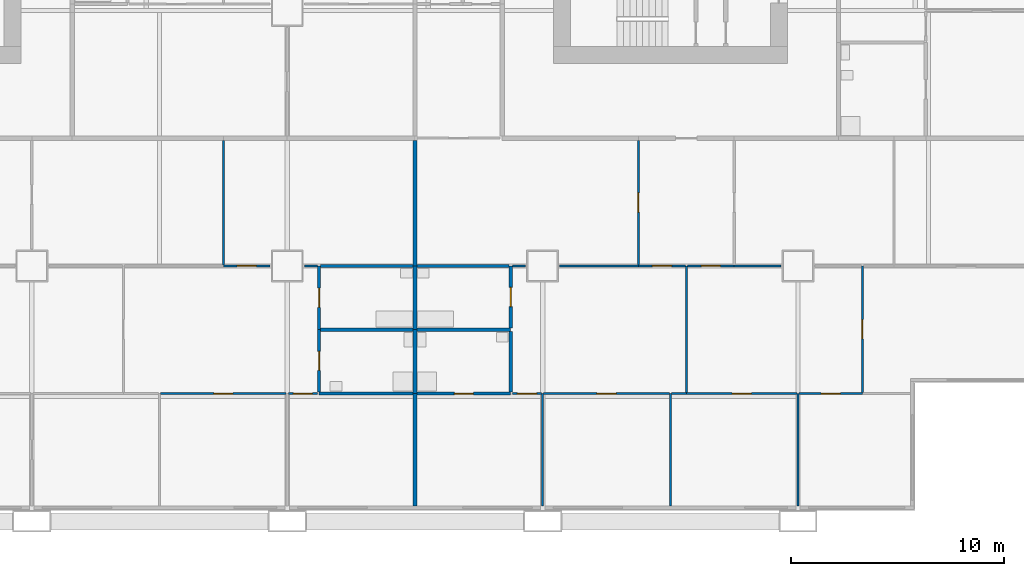
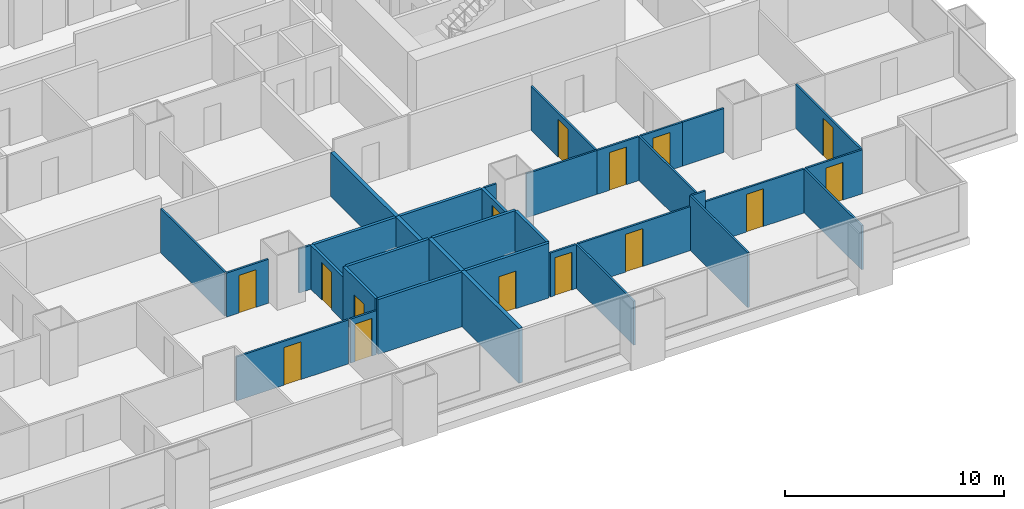
# One storey, part 5 of 13: 35 walls, 15 doors, 15 openings.
"""IFC4 building model written with IfcOpenShell, lengths in metres."""

from ifc_helpers import new_model, si_unit, direction, frame, frame_2d, origin, place, context, subcontext, project, spatial, rectangle, extrude, material, layer, layer_set, type_object, element, fill, save


model = new_model("IFC4")

# Units and contexts
model_context = context("Model", 3, precision=1e-05, world=origin(), true_north=direction((0.0, 1.0)))
body_context = subcontext(model_context, "Body", "Model", "MODEL_VIEW")
ifc_project = project(units=[si_unit("LENGTHUNIT", "METRE"), si_unit("AREAUNIT", "SQUARE_METRE"), si_unit("VOLUMEUNIT", "CUBIC_METRE"), si_unit("PLANEANGLEUNIT", "RADIAN"), si_unit("MASSUNIT", "GRAM", prefix="KILO")], contexts=[model_context])

# Site, building, storey
site_placement = place(None, origin())
site = spatial("IfcSite", under=ifc_project, at=site_placement, CompositionType="ELEMENT")
building_placement = place(site_placement, origin())
building = spatial("IfcBuilding", under=site, at=building_placement, Name="Kitamizu Gate Tower and Museum", CompositionType="ELEMENT")
storey_placement = place(building_placement, frame((0.0, 0.0, 57.60009765625)))
storey = spatial("IfcBuildingStorey", under=building, at=storey_placement, Name="L13", CompositionType="ELEMENT", Elevation=57.60009765625)

# Wall, opening, door
ifc_material_1 = material(Name="Gypsum board on galvanised stud")
ifc_layer_1 = layer(ifc_material_1, 0.10009765625)
ifc_layer_set_1 = layer_set([ifc_layer_1], Name="Gypsum board on galvanised stud")
wall_type_1 = type_object("IfcWallType", Name="Partition 100 NOT RATED", PredefinedType="PARTITIONING", material=ifc_layer_set_1)
wall_1_placement = place(storey_placement, frame((35.949951171875, 6.0, 0.0), z_axis=(0.0, 0.0, 1.0), x_axis=(-1.0, 0.0, 0.0)))
wall_1 = element("IfcWall", 1, at=wall_1_placement, inside=storey, type_object=wall_type_1, Name="Partition L13-011", PredefinedType="PARTITIONING", context=body_context, shape_type="SweptSolid", body=[
    extrude(rectangle(XDim=5.89990234375, YDim=0.10009765625, at=frame_2d((2.949951171875, 0.0))), origin(), (0.0, 0.0, 1.0), 2.449951171875),
])
opening_1_placement = place(wall_1_placement, frame((2.5, 0.0, 0.0)))
opening_1 = element("IfcOpeningElement", 2, at=opening_1_placement, cuts=wall_1, Name="Opening L13-010", PredefinedType="OPENING", context=body_context, shape_type="SweptSolid", body=[
    extrude(rectangle(XDim=0.89990234375, YDim=2.10009765625, at=frame_2d((0.449951171875, 1.050048828125))), frame((0.0, 0.06005859375, 0.0), z_axis=(0.0, -1.0, 0.0), x_axis=(1.0, 0.0, 0.0)), (0.0, 0.0, 1.0), 0.1201171875),
])
ifc_material_2 = material(Name="Timber door set", Category="wood")
door_type_1 = type_object("IfcDoorType", Name="Room door 900", OperationType="NOTDEFINED", PredefinedType="DOOR", material=ifc_material_2)
door_1_placement = place(opening_1_placement, origin())
door_1 = element("IfcDoor", 3, at=door_1_placement, inside=storey, type_object=door_type_1, Name="Door L13-010", OperationType="SINGLE_SWING_RIGHT", OverallHeight=2.10009765625, OverallWidth=0.89990234375, PredefinedType="DOOR", context=body_context, shape_type="SweptSolid", body=[
    extrude(rectangle(XDim=0.89990234375, YDim=2.10009765625, at=frame_2d((0.449951171875, 1.050048828125))), frame((0.0, 0.02490234375, 0.0), z_axis=(0.0, -1.0, 0.0), x_axis=(1.0, 0.0, 0.0)), (0.0, 0.0, 1.0), 0.050048828125),
])
fill(opening_1, door_1)

wall_2_placement = place(storey_placement, frame((37.425048828125, 6.0, 0.0), z_axis=(0.0, 0.0, 1.0), x_axis=(-1.0, 0.0, 0.0)))
wall_2 = element("IfcWall", 4, at=wall_2_placement, inside=storey, type_object=wall_type_1, Name="Partition L13-012", PredefinedType="PARTITIONING", context=body_context, shape_type="SweptSolid", body=[
    extrude(rectangle(XDim=1.375, YDim=0.10009765625, at=frame_2d((0.6875, 0.0))), origin(), (0.0, 0.0, 1.0), 2.449951171875),
])
opening_2_placement = place(wall_2_placement, frame((0.237548828125, 0.0, 0.0)))
opening_2 = element("IfcOpeningElement", 5, at=opening_2_placement, cuts=wall_2, Name="Opening L13-011", PredefinedType="OPENING", context=body_context, shape_type="SweptSolid", body=[
    extrude(rectangle(XDim=0.89990234375, YDim=2.10009765625, at=frame_2d((0.449951171875, 1.050048828125))), frame((0.0, 0.06005859375, 0.0), z_axis=(0.0, -1.0, 0.0), x_axis=(1.0, 0.0, 0.0)), (0.0, 0.0, 1.0), 0.1201171875),
])
door_2_placement = place(opening_2_placement, origin())
door_2 = element("IfcDoor", 6, at=door_2_placement, inside=storey, type_object=door_type_1, Name="Door L13-011", OperationType="SINGLE_SWING_LEFT", OverallHeight=2.10009765625, OverallWidth=0.89990234375, PredefinedType="DOOR", context=body_context, shape_type="SweptSolid", body=[
    extrude(rectangle(XDim=0.89990234375, YDim=2.10009765625, at=frame_2d((0.449951171875, 1.050048828125))), frame((0.0, 0.02490234375, 0.0), z_axis=(0.0, -1.0, 0.0), x_axis=(1.0, 0.0, 0.0)), (0.0, 0.0, 1.0), 0.050048828125),
])
fill(opening_2, door_2)

wall_3_placement = place(storey_placement, frame((35.199951171875, 12.0, 0.0), z_axis=(0.0, 0.0, 1.0), x_axis=(-1.0, 0.0, 0.0)))
wall_3 = element("IfcWall", 7, at=wall_3_placement, inside=storey, type_object=wall_type_1, Name="Partition L13-030", PredefinedType="PARTITIONING", context=body_context, shape_type="SweptSolid", body=[
    extrude(rectangle(XDim=2.199951171875, YDim=0.10009765625, at=frame_2d((1.10009765625, 0.0))), origin(), (0.0, 0.0, 1.0), 2.449951171875),
])
opening_3_placement = place(wall_3_placement, frame((0.64990234375, 0.0, 0.0)))
opening_3 = element("IfcOpeningElement", 8, at=opening_3_placement, cuts=wall_3, Name="Opening L13-019", PredefinedType="OPENING", context=body_context, shape_type="SweptSolid", body=[
    extrude(rectangle(XDim=0.89990234375, YDim=2.10009765625, at=frame_2d((0.449951171875, 1.050048828125))), frame((0.0, 0.06005859375, 0.0), z_axis=(0.0, -1.0, 0.0), x_axis=(1.0, 0.0, 0.0)), (0.0, 0.0, 1.0), 0.1201171875),
])
door_3_placement = place(opening_3_placement, frame((0.89990234375, 0.0, 0.0), x_axis=(-1.0, 0.0, 0.0)))
door_3 = element("IfcDoor", 9, at=door_3_placement, inside=storey, type_object=door_type_1, Name="Door L13-019", OperationType="SINGLE_SWING_RIGHT", OverallHeight=2.10009765625, OverallWidth=0.89990234375, PredefinedType="DOOR", context=body_context, shape_type="SweptSolid", body=[
    extrude(rectangle(XDim=0.89990234375, YDim=2.10009765625, at=frame_2d((0.449951171875, 1.050048828125))), frame((0.0, 0.02490234375, 0.0), z_axis=(0.0, -1.0, 0.0), x_axis=(1.0, 0.0, 0.0)), (0.0, 0.0, 1.0), 0.050048828125),
])
fill(opening_3, door_3)

# Walls
wall_4_placement = place(storey_placement, frame((37.425048828125, 12.0, 0.0), z_axis=(0.0, 0.0, 1.0), x_axis=(-1.0, 0.0, 0.0)))
element("IfcWall", 10, at=wall_4_placement, inside=storey, type_object=wall_type_1, Name="Partition L13-031", PredefinedType="PARTITIONING", context=body_context, shape_type="SweptSolid", body=[
    extrude(rectangle(XDim=0.625, YDim=0.10009765625, at=frame_2d((0.3125, 0.0))), origin(), (0.0, 0.0, 1.0), 2.449951171875),
])
wall_5_placement = place(storey_placement, frame((33.0, 12.050048828125, 0.0), z_axis=(0.0, 0.0, 1.0), x_axis=(0.0, 1.0, 0.0)))
element("IfcWall", 11, at=wall_5_placement, inside=storey, type_object=wall_type_1, Name="Partition L13-053", PredefinedType="PARTITIONING", context=body_context, shape_type="SweptSolid", body=[
    extrude(rectangle(XDim=5.849853515625, YDim=0.10009765625, at=frame_2d((2.9248046875, 0.0))), origin(), (0.0, 0.0, 1.0), 2.449951171875),
])
wall_6_placement = place(storey_placement, frame((48.0, 0.719970703125, 0.0), z_axis=(0.0, 0.0, 1.0), x_axis=(0.0, 1.0, 0.0)))
element("IfcWall", 12, at=wall_6_placement, inside=storey, type_object=wall_type_1, Name="Partition L13-076", PredefinedType="PARTITIONING", context=body_context, shape_type="SweptSolid", body=[
    extrude(rectangle(XDim=5.280029296875, YDim=0.10009765625, at=frame_2d((2.64013671875, 0.0))), origin(), (0.0, 0.0, 1.0), 2.449951171875),
])

# Wall, opening, door
wall_7_placement = place(storey_placement, frame((47.949951171875, 6.0, 0.0), z_axis=(0.0, 0.0, 1.0), x_axis=(-1.0, 0.0, 0.0)))
wall_7 = element("IfcWall", 13, at=wall_7_placement, inside=storey, type_object=wall_type_1, Name="Partition L13-078", PredefinedType="PARTITIONING", context=body_context, shape_type="SweptSolid", body=[
    extrude(rectangle(XDim=1.375, YDim=0.10009765625, at=frame_2d((0.6875, 0.0))), origin(), (0.0, 0.0, 1.0), 2.449951171875),
])
opening_4_placement = place(wall_7_placement, frame((0.237548828125, 0.0, 0.0)))
opening_4 = element("IfcOpeningElement", 14, at=opening_4_placement, cuts=wall_7, Name="Opening L13-029", PredefinedType="OPENING", context=body_context, shape_type="SweptSolid", body=[
    extrude(rectangle(XDim=0.89990234375, YDim=2.10009765625, at=frame_2d((0.449951171875, 1.050048828125))), frame((0.0, 0.06005859375, 0.0), z_axis=(0.0, -1.0, 0.0), x_axis=(1.0, 0.0, 0.0)), (0.0, 0.0, 1.0), 0.1201171875),
])
door_4_placement = place(opening_4_placement, origin())
door_4 = element("IfcDoor", 15, at=door_4_placement, inside=storey, type_object=door_type_1, Name="Door L13-029", OperationType="SINGLE_SWING_RIGHT", OverallHeight=2.10009765625, OverallWidth=0.89990234375, PredefinedType="DOOR", context=body_context, shape_type="SweptSolid", body=[
    extrude(rectangle(XDim=0.89990234375, YDim=2.10009765625, at=frame_2d((0.449951171875, 1.050048828125))), frame((0.0, 0.02490234375, 0.0), z_axis=(0.0, -1.0, 0.0), x_axis=(1.0, 0.0, 0.0)), (0.0, 0.0, 1.0), 0.050048828125),
])
fill(opening_4, door_4)

# Wall
wall_8_placement = place(storey_placement, frame((54.0, 0.719970703125, 0.0), z_axis=(0.0, 0.0, 1.0), x_axis=(0.0, 1.0, 0.0)))
element("IfcWall", 16, at=wall_8_placement, inside=storey, type_object=wall_type_1, Name="Partition L13-079", PredefinedType="PARTITIONING", context=body_context, shape_type="SweptSolid", body=[
    extrude(rectangle(XDim=5.280029296875, YDim=0.10009765625, at=frame_2d((2.64013671875, 0.0))), origin(), (0.0, 0.0, 1.0), 3.0498046875),
])

# Wall, opening, door
wall_9_placement = place(storey_placement, frame((53.949951171875, 6.0, 0.0), z_axis=(0.0, 0.0, 1.0), x_axis=(-1.0, 0.0, 0.0)))
wall_9 = element("IfcWall", 17, at=wall_9_placement, inside=storey, type_object=wall_type_1, Name="Partition L13-080", PredefinedType="PARTITIONING", context=body_context, shape_type="SweptSolid", body=[
    extrude(rectangle(XDim=5.89990234375, YDim=0.10009765625, at=frame_2d((2.949951171875, 0.0))), origin(), (0.0, 0.0, 1.0), 2.449951171875),
])
opening_5_placement = place(wall_9_placement, frame((2.5, 0.0, 0.0)))
opening_5 = element("IfcOpeningElement", 18, at=opening_5_placement, cuts=wall_9, Name="Opening L13-032", PredefinedType="OPENING", context=body_context, shape_type="SweptSolid", body=[
    extrude(rectangle(XDim=0.89990234375, YDim=2.10009765625, at=frame_2d((0.449951171875, 1.050048828125))), frame((0.0, 0.06005859375, 0.0), z_axis=(0.0, -1.0, 0.0), x_axis=(1.0, 0.0, 0.0)), (0.0, 0.0, 1.0), 0.1201171875),
])
door_5_placement = place(opening_5_placement, origin())
door_5 = element("IfcDoor", 19, at=door_5_placement, inside=storey, type_object=door_type_1, Name="Door L13-032", OperationType="SINGLE_SWING_RIGHT", OverallHeight=2.10009765625, OverallWidth=0.89990234375, PredefinedType="DOOR", context=body_context, shape_type="SweptSolid", body=[
    extrude(rectangle(XDim=0.89990234375, YDim=2.10009765625, at=frame_2d((0.449951171875, 1.050048828125))), frame((0.0, 0.02490234375, 0.0), z_axis=(0.0, -1.0, 0.0), x_axis=(1.0, 0.0, 0.0)), (0.0, 0.0, 1.0), 0.050048828125),
])
fill(opening_5, door_5)

# Walls
wall_10_placement = place(storey_placement, frame((60.0, 0.719970703125, 0.0), z_axis=(0.0, 0.0, 1.0), x_axis=(0.0, 1.0, 0.0)))
element("IfcWall", 20, at=wall_10_placement, inside=storey, type_object=wall_type_1, Name="Partition L13-081", PredefinedType="PARTITIONING", context=body_context, shape_type="SweptSolid", body=[
    extrude(rectangle(XDim=5.280029296875, YDim=0.10009765625, at=frame_2d((2.64013671875, 0.0))), origin(), (0.0, 0.0, 1.0), 2.449951171875),
])
wall_11_placement = place(storey_placement, frame((54.760009765625, 6.0, 0.0), z_axis=(0.0, 0.0, 1.0), x_axis=(-1.0, 0.0, 0.0)))
element("IfcWall", 21, at=wall_11_placement, inside=storey, type_object=wall_type_1, Name="Partition L13-082", PredefinedType="PARTITIONING", context=body_context, shape_type="SweptSolid", body=[
    extrude(rectangle(XDim=0.7099609375, YDim=0.10009765625, at=frame_2d((0.35498046875, 0.0))), origin(), (0.0, 0.0, 1.0), 3.0498046875),
])

# Wall, opening, door
wall_12_placement = place(storey_placement, frame((59.949951171875, 6.0, 0.0), z_axis=(0.0, 0.0, 1.0), x_axis=(-1.0, 0.0, 0.0)))
wall_12 = element("IfcWall", 22, at=wall_12_placement, inside=storey, type_object=wall_type_1, Name="Partition L13-083", PredefinedType="PARTITIONING", context=body_context, shape_type="SweptSolid", body=[
    extrude(rectangle(XDim=5.18994140625, YDim=0.10009765625, at=frame_2d((2.594970703125, 0.0))), origin(), (0.0, 0.0, 1.0), 2.449951171875),
])
opening_6_placement = place(wall_12_placement, frame((2.14501953125, 0.0, 0.0)))
opening_6 = element("IfcOpeningElement", 23, at=opening_6_placement, cuts=wall_12, Name="Opening L13-033", PredefinedType="OPENING", context=body_context, shape_type="SweptSolid", body=[
    extrude(rectangle(XDim=0.89990234375, YDim=2.10009765625, at=frame_2d((0.449951171875, 1.050048828125))), frame((0.0, 0.06005859375, 0.0), z_axis=(0.0, -1.0, 0.0), x_axis=(1.0, 0.0, 0.0)), (0.0, 0.0, 1.0), 0.1201171875),
])
door_6_placement = place(opening_6_placement, origin())
door_6 = element("IfcDoor", 24, at=door_6_placement, inside=storey, type_object=door_type_1, Name="Door L13-033", OperationType="SINGLE_SWING_LEFT", OverallHeight=2.10009765625, OverallWidth=0.89990234375, PredefinedType="DOOR", context=body_context, shape_type="SweptSolid", body=[
    extrude(rectangle(XDim=0.89990234375, YDim=2.10009765625, at=frame_2d((0.449951171875, 1.050048828125))), frame((0.0, 0.02490234375, 0.0), z_axis=(0.0, -1.0, 0.0), x_axis=(1.0, 0.0, 0.0)), (0.0, 0.0, 1.0), 0.050048828125),
])
fill(opening_6, door_6)

wall_13_placement = place(storey_placement, frame((63.02001953125, 6.0, 0.0), z_axis=(0.0, 0.0, 1.0), x_axis=(-1.0, 0.0, 0.0)))
wall_13 = element("IfcWall", 25, at=wall_13_placement, inside=storey, type_object=wall_type_1, Name="Partition L13-084", PredefinedType="PARTITIONING", context=body_context, shape_type="SweptSolid", body=[
    extrude(rectangle(XDim=2.969970703125, YDim=0.10009765625, at=frame_2d((1.48486328125, 0.0))), origin(), (0.0, 0.0, 1.0), 2.449951171875),
])
opening_7_placement = place(wall_13_placement, frame((1.034912109375, 0.0, 0.0)))
opening_7 = element("IfcOpeningElement", 26, at=opening_7_placement, cuts=wall_13, Name="Opening L13-034", PredefinedType="OPENING", context=body_context, shape_type="SweptSolid", body=[
    extrude(rectangle(XDim=0.89990234375, YDim=2.10009765625, at=frame_2d((0.449951171875, 1.050048828125))), frame((0.0, 0.06005859375, 0.0), z_axis=(0.0, -1.0, 0.0), x_axis=(1.0, 0.0, 0.0)), (0.0, 0.0, 1.0), 0.1201171875),
])
door_7_placement = place(opening_7_placement, origin())
door_7 = element("IfcDoor", 27, at=door_7_placement, inside=storey, type_object=door_type_1, Name="Door L13-034", OperationType="SINGLE_SWING_LEFT", OverallHeight=2.10009765625, OverallWidth=0.89990234375, PredefinedType="DOOR", context=body_context, shape_type="SweptSolid", body=[
    extrude(rectangle(XDim=0.89990234375, YDim=2.10009765625, at=frame_2d((0.449951171875, 1.050048828125))), frame((0.0, 0.02490234375, 0.0), z_axis=(0.0, -1.0, 0.0), x_axis=(1.0, 0.0, 0.0)), (0.0, 0.0, 1.0), 0.050048828125),
])
fill(opening_7, door_7)

# Walls
wall_14_placement = place(storey_placement, frame((54.760009765625, 6.050048828125, 0.0), z_axis=(0.0, 0.0, 1.0), x_axis=(0.0, 1.0, 0.0)))
element("IfcWall", 28, at=wall_14_placement, inside=storey, type_object=wall_type_1, Name="Partition L13-090", PredefinedType="PARTITIONING", context=body_context, shape_type="SweptSolid", body=[
    extrude(rectangle(XDim=5.949951171875, YDim=0.10009765625, at=frame_2d((2.97509765625, 0.0))), origin(), (0.0, 0.0, 1.0), 2.449951171875),
])
wall_15_placement = place(storey_placement, frame((47.199951171875, 12.0, 0.0), z_axis=(0.0, 0.0, 1.0), x_axis=(-1.0, 0.0, 0.0)))
element("IfcWall", 29, at=wall_15_placement, inside=storey, type_object=wall_type_1, Name="Partition L13-091", PredefinedType="PARTITIONING", context=body_context, shape_type="SweptSolid", body=[
    extrude(rectangle(XDim=0.625, YDim=0.10009765625, at=frame_2d((0.3125, 0.0))), origin(), (0.0, 0.0, 1.0), 2.449951171875),
])
wall_16_placement = place(storey_placement, frame((52.5, 12.0, 0.0), z_axis=(0.0, 0.0, 1.0), x_axis=(-1.0, 0.0, 0.0)))
element("IfcWall", 30, at=wall_16_placement, inside=storey, type_object=wall_type_1, Name="Partition L13-092", PredefinedType="PARTITIONING", context=body_context, shape_type="SweptSolid", body=[
    extrude(rectangle(XDim=3.699951171875, YDim=0.10009765625, at=frame_2d((1.85009765625, 0.0))), origin(), (0.0, 0.0, 1.0), 2.449951171875),
])

# Wall, opening, door
wall_17_placement = place(storey_placement, frame((54.7099609375, 12.0, 0.0), z_axis=(0.0, 0.0, 1.0), x_axis=(-1.0, 0.0, 0.0)))
wall_17 = element("IfcWall", 31, at=wall_17_placement, inside=storey, type_object=wall_type_1, Name="Partition L13-093", PredefinedType="PARTITIONING", context=body_context, shape_type="SweptSolid", body=[
    extrude(rectangle(XDim=2.2099609375, YDim=0.10009765625, at=frame_2d((1.10498046875, 0.0))), origin(), (0.0, 0.0, 1.0), 2.449951171875),
])
opening_8_placement = place(wall_17_placement, frame((0.655029296875, 0.0, 0.0)))
opening_8 = element("IfcOpeningElement", 32, at=opening_8_placement, cuts=wall_17, Name="Opening L13-027", PredefinedType="OPENING", context=body_context, shape_type="SweptSolid", body=[
    extrude(rectangle(XDim=0.89990234375, YDim=2.10009765625, at=frame_2d((0.449951171875, 1.050048828125))), frame((0.0, 0.06005859375, 0.0), z_axis=(0.0, -1.0, 0.0), x_axis=(1.0, 0.0, 0.0)), (0.0, 0.0, 1.0), 0.1201171875),
])
door_8_placement = place(opening_8_placement, frame((0.89990234375, 0.0, 0.0), x_axis=(-1.0, 0.0, 0.0)))
door_8 = element("IfcDoor", 33, at=door_8_placement, inside=storey, type_object=door_type_1, Name="Door L13-027", OperationType="SINGLE_SWING_RIGHT", OverallHeight=2.10009765625, OverallWidth=0.89990234375, PredefinedType="DOOR", context=body_context, shape_type="SweptSolid", body=[
    extrude(rectangle(XDim=0.89990234375, YDim=2.10009765625, at=frame_2d((0.449951171875, 1.050048828125))), frame((0.0, 0.02490234375, 0.0), z_axis=(0.0, -1.0, 0.0), x_axis=(1.0, 0.0, 0.0)), (0.0, 0.0, 1.0), 0.050048828125),
])
fill(opening_8, door_8)

wall_18_placement = place(storey_placement, frame((63.02001953125, 6.050048828125, 0.0), z_axis=(0.0, 0.0, 1.0), x_axis=(0.0, 1.0, 0.0)))
wall_18 = element("IfcWall", 34, at=wall_18_placement, inside=storey, type_object=wall_type_1, Name="Partition L13-094", PredefinedType="PARTITIONING", context=body_context, shape_type="SweptSolid", body=[
    extrude(rectangle(XDim=5.949951171875, YDim=0.10009765625, at=frame_2d((2.97509765625, 0.0))), origin(), (0.0, 0.0, 1.0), 2.449951171875),
])
opening_9_placement = place(wall_18_placement, frame((2.52490234375, 0.0, 0.0)))
opening_9 = element("IfcOpeningElement", 35, at=opening_9_placement, cuts=wall_18, Name="Opening L13-030", PredefinedType="OPENING", context=body_context, shape_type="SweptSolid", body=[
    extrude(rectangle(XDim=0.89990234375, YDim=2.10009765625, at=frame_2d((0.449951171875, 1.050048828125))), frame((0.0, 0.06005859375, 0.0), z_axis=(0.0, -1.0, 0.0), x_axis=(1.0, 0.0, 0.0)), (0.0, 0.0, 1.0), 0.1201171875),
])
door_9_placement = place(opening_9_placement, frame((0.89990234375, 0.0, 0.0), x_axis=(-1.0, 0.0, 0.0)))
door_9 = element("IfcDoor", 36, at=door_9_placement, inside=storey, type_object=door_type_1, Name="Door L13-030", OperationType="SINGLE_SWING_LEFT", OverallHeight=2.10009765625, OverallWidth=0.89990234375, PredefinedType="DOOR", context=body_context, shape_type="SweptSolid", body=[
    extrude(rectangle(XDim=0.89990234375, YDim=2.10009765625, at=frame_2d((0.449951171875, 1.050048828125))), frame((0.0, 0.02490234375, 0.0), z_axis=(0.0, -1.0, 0.0), x_axis=(1.0, 0.0, 0.0)), (0.0, 0.0, 1.0), 0.050048828125),
])
fill(opening_9, door_9)

wall_19_placement = place(storey_placement, frame((57.0, 12.0, 0.0), z_axis=(0.0, 0.0, 1.0), x_axis=(-1.0, 0.0, 0.0)))
wall_19 = element("IfcWall", 37, at=wall_19_placement, inside=storey, type_object=wall_type_1, Name="Partition L13-095", PredefinedType="PARTITIONING", context=body_context, shape_type="SweptSolid", body=[
    extrude(rectangle(XDim=2.18994140625, YDim=0.10009765625, at=frame_2d((1.094970703125, 0.0))), origin(), (0.0, 0.0, 1.0), 2.449951171875),
])
opening_10_placement = place(wall_19_placement, frame((0.64501953125, 0.0, 0.0)))
opening_10 = element("IfcOpeningElement", 38, at=opening_10_placement, cuts=wall_19, Name="Opening L13-028", PredefinedType="OPENING", context=body_context, shape_type="SweptSolid", body=[
    extrude(rectangle(XDim=0.89990234375, YDim=2.10009765625, at=frame_2d((0.449951171875, 1.050048828125))), frame((0.0, 0.06005859375, 0.0), z_axis=(0.0, -1.0, 0.0), x_axis=(1.0, 0.0, 0.0)), (0.0, 0.0, 1.0), 0.1201171875),
])
door_10_placement = place(opening_10_placement, origin())
door_10 = element("IfcDoor", 39, at=door_10_placement, inside=storey, type_object=door_type_1, Name="Door L13-028", OperationType="SINGLE_SWING_LEFT", OverallHeight=2.10009765625, OverallWidth=0.89990234375, PredefinedType="DOOR", context=body_context, shape_type="SweptSolid", body=[
    extrude(rectangle(XDim=0.89990234375, YDim=2.10009765625, at=frame_2d((0.449951171875, 1.050048828125))), frame((0.0, 0.02490234375, 0.0), z_axis=(0.0, -1.0, 0.0), x_axis=(1.0, 0.0, 0.0)), (0.0, 0.0, 1.0), 0.050048828125),
])
fill(opening_10, door_10)

# Wall
wall_20_placement = place(storey_placement, frame((59.199951171875, 12.0, 0.0), z_axis=(0.0, 0.0, 1.0), x_axis=(-1.0, 0.0, 0.0)))
element("IfcWall", 40, at=wall_20_placement, inside=storey, type_object=wall_type_1, Name="Partition L13-096", PredefinedType="PARTITIONING", context=body_context, shape_type="SweptSolid", body=[
    extrude(rectangle(XDim=2.199951171875, YDim=0.10009765625, at=frame_2d((1.10009765625, 0.0))), origin(), (0.0, 0.0, 1.0), 2.449951171875),
])

# Wall, opening, door
wall_21_placement = place(storey_placement, frame((52.5, 12.050048828125, 0.0), z_axis=(0.0, 0.0, 1.0), x_axis=(0.0, 1.0, 0.0)))
wall_21 = element("IfcWall", 41, at=wall_21_placement, inside=storey, type_object=wall_type_1, Name="Partition L13-100", PredefinedType="PARTITIONING", context=body_context, shape_type="SweptSolid", body=[
    extrude(rectangle(XDim=5.849853515625, YDim=0.10009765625, at=frame_2d((2.9248046875, 0.0))), origin(), (0.0, 0.0, 1.0), 2.449951171875),
])
opening_11_placement = place(wall_21_placement, frame((2.47509765625, 0.0, 0.0)))
opening_11 = element("IfcOpeningElement", 42, at=opening_11_placement, cuts=wall_21, Name="Opening L13-036", PredefinedType="OPENING", context=body_context, shape_type="SweptSolid", body=[
    extrude(rectangle(XDim=0.89990234375, YDim=2.10009765625, at=frame_2d((0.449951171875, 1.050048828125))), frame((0.0, 0.06005859375, 0.0), z_axis=(0.0, -1.0, 0.0), x_axis=(1.0, 0.0, 0.0)), (0.0, 0.0, 1.0), 0.1201171875),
])
door_11_placement = place(opening_11_placement, origin())
door_11 = element("IfcDoor", 43, at=door_11_placement, inside=storey, type_object=door_type_1, Name="Door L13-036", OperationType="SINGLE_SWING_LEFT", OverallHeight=2.10009765625, OverallWidth=0.89990234375, PredefinedType="DOOR", context=body_context, shape_type="SweptSolid", body=[
    extrude(rectangle(XDim=0.89990234375, YDim=2.10009765625, at=frame_2d((0.449951171875, 1.050048828125))), frame((0.0, 0.02490234375, 0.0), z_axis=(0.0, -1.0, 0.0), x_axis=(1.0, 0.0, 0.0)), (0.0, 0.0, 1.0), 0.050048828125),
])
fill(opening_11, door_11)

# Wall
ifc_material_3 = material(Name="Gypsum board on galvanised stud")
ifc_layer_2 = layer(ifc_material_3, 0.14990234375)
ifc_layer_set_2 = layer_set([ifc_layer_2], Name="Gypsum board on galvanised stud")
wall_type_2 = type_object("IfcWallType", Name="Partition 150", PredefinedType="PARTITIONING", material=ifc_layer_set_2)
wall_22_placement = place(storey_placement, frame((41.89990234375, 6.0, 0.0), z_axis=(0.0, 0.0, 1.0), x_axis=(-1.0, 0.0, 0.0)))
element("IfcWall", 44, at=wall_22_placement, inside=storey, type_object=wall_type_2, Name="Partition L13-013", PredefinedType="PARTITIONING", context=body_context, shape_type="SweptSolid", body=[
    extrude(rectangle(XDim=4.39990234375, YDim=0.14990234375, at=frame_2d((2.199951171875, 0.0))), origin(), (0.0, 0.0, 1.0), 3.0498046875),
])

# Wall, opening, door
wall_23_placement = place(storey_placement, frame((37.5, 6.074951171875, 0.0), z_axis=(0.0, 0.0, 1.0), x_axis=(0.0, 1.0, 0.0)))
wall_23 = element("IfcWall", 45, at=wall_23_placement, inside=storey, type_object=wall_type_2, Name="Partition L13-027", PredefinedType="PARTITIONING", context=body_context, shape_type="SweptSolid", body=[
    extrude(rectangle(XDim=2.925048828125, YDim=0.14990234375, at=frame_2d((1.46240234375, 0.0))), origin(), (0.0, 0.0, 1.0), 3.0498046875),
])
opening_12_placement = place(wall_23_placement, frame((1.012451171875, 0.0, 0.0)))
opening_12 = element("IfcOpeningElement", 46, at=opening_12_placement, cuts=wall_23, Name="Opening L13-008", PredefinedType="OPENING", context=body_context, shape_type="SweptSolid", body=[
    extrude(rectangle(XDim=0.89990234375, YDim=2.10009765625, at=frame_2d((0.449951171875, 1.050048828125))), frame((0.0, 0.0849609375, 0.0), z_axis=(0.0, -1.0, 0.0), x_axis=(1.0, 0.0, 0.0)), (0.0, 0.0, 1.0), 0.169921875),
])
ifc_material_4 = material(Name="Timber door set", Category="wood")
door_type_2 = type_object("IfcDoorType", Name="Bathroom door 900", OperationType="NOTDEFINED", PredefinedType="DOOR", material=ifc_material_4)
door_12_placement = place(opening_12_placement, frame((0.89990234375, 0.0, 0.0), x_axis=(-1.0, 0.0, 0.0)))
door_12 = element("IfcDoor", 47, at=door_12_placement, inside=storey, type_object=door_type_2, Name="Bathroom door L13-008", OperationType="SINGLE_SWING_LEFT", OverallHeight=2.10009765625, OverallWidth=0.89990234375, PredefinedType="DOOR", context=body_context, shape_type="SweptSolid", body=[
    extrude(rectangle(XDim=0.89990234375, YDim=2.10009765625, at=frame_2d((0.449951171875, 1.050048828125))), frame((0.0, 0.02490234375, 0.0), z_axis=(0.0, -1.0, 0.0), x_axis=(1.0, 0.0, 0.0)), (0.0, 0.0, 1.0), 0.050048828125),
])
fill(opening_12, door_12)

wall_24_placement = place(storey_placement, frame((37.5, 9.0, 0.0), z_axis=(0.0, 0.0, 1.0), x_axis=(0.0, 1.0, 0.0)))
wall_24 = element("IfcWall", 48, at=wall_24_placement, inside=storey, type_object=wall_type_2, Name="Partition L13-028", PredefinedType="PARTITIONING", context=body_context, shape_type="SweptSolid", body=[
    extrude(rectangle(XDim=3.0, YDim=0.14990234375, at=frame_2d((1.5, 0.0))), origin(), (0.0, 0.0, 1.0), 2.449951171875),
])
opening_13_placement = place(wall_24_placement, frame((1.050048828125, 0.0, 0.0)))
opening_13 = element("IfcOpeningElement", 49, at=opening_13_placement, cuts=wall_24, Name="Opening L13-012", PredefinedType="OPENING", context=body_context, shape_type="SweptSolid", body=[
    extrude(rectangle(XDim=0.89990234375, YDim=2.10009765625, at=frame_2d((0.449951171875, 1.050048828125))), frame((0.0, 0.0849609375, 0.0), z_axis=(0.0, -1.0, 0.0), x_axis=(1.0, 0.0, 0.0)), (0.0, 0.0, 1.0), 0.169921875),
])
door_13_placement = place(opening_13_placement, frame((0.89990234375, 0.0, 0.0), x_axis=(-1.0, 0.0, 0.0)))
door_13 = element("IfcDoor", 50, at=door_13_placement, inside=storey, type_object=door_type_2, Name="Bathroom door L13-012", OperationType="SINGLE_SWING_RIGHT", OverallHeight=2.10009765625, OverallWidth=0.89990234375, PredefinedType="DOOR", context=body_context, shape_type="SweptSolid", body=[
    extrude(rectangle(XDim=0.89990234375, YDim=2.10009765625, at=frame_2d((0.449951171875, 1.050048828125))), frame((0.0, 0.02490234375, 0.0), z_axis=(0.0, -1.0, 0.0), x_axis=(1.0, 0.0, 0.0)), (0.0, 0.0, 1.0), 0.050048828125),
])
fill(opening_13, door_13)

# Walls
wall_25_placement = place(storey_placement, frame((41.89990234375, 9.0, 0.0), z_axis=(0.0, 0.0, 1.0), x_axis=(-1.0, 0.0, 0.0)))
element("IfcWall", 51, at=wall_25_placement, inside=storey, type_object=wall_type_2, Name="Partition L13-032", PredefinedType="PARTITIONING", context=body_context, shape_type="SweptSolid", body=[
    extrude(rectangle(XDim=4.324951171875, YDim=0.14990234375, at=frame_2d((2.16259765625, 0.0))), origin(), (0.0, 0.0, 1.0), 3.0498046875),
])
wall_26_placement = place(storey_placement, frame((41.89990234375, 12.0, 0.0), z_axis=(0.0, 0.0, 1.0), x_axis=(-1.0, 0.0, 0.0)))
element("IfcWall", 52, at=wall_26_placement, inside=storey, type_object=wall_type_2, Name="Partition L13-034", PredefinedType="PARTITIONING", context=body_context, shape_type="SweptSolid", body=[
    extrude(rectangle(XDim=4.324951171875, YDim=0.14990234375, at=frame_2d((2.16259765625, 0.0))), origin(), (0.0, 0.0, 1.0), 2.449951171875),
])

# Wall, opening, door
wall_27_placement = place(storey_placement, frame((46.5, 6.0, 0.0), z_axis=(0.0, 0.0, 1.0), x_axis=(-1.0, 0.0, 0.0)))
wall_27 = element("IfcWall", 53, at=wall_27_placement, inside=storey, type_object=wall_type_2, Name="Partition L13-077", PredefinedType="PARTITIONING", context=body_context, shape_type="SweptSolid", body=[
    extrude(rectangle(XDim=4.39990234375, YDim=0.14990234375, at=frame_2d((2.199951171875, 0.0))), origin(), (0.0, 0.0, 1.0), 3.0498046875),
])
opening_14_placement = place(wall_27_placement, frame((1.75, 0.0, 0.0)))
opening_14 = element("IfcOpeningElement", 54, at=opening_14_placement, cuts=wall_27, Name="Opening L13-031", PredefinedType="OPENING", context=body_context, shape_type="SweptSolid", body=[
    extrude(rectangle(XDim=0.89990234375, YDim=2.10009765625, at=frame_2d((0.449951171875, 1.050048828125))), frame((0.0, 0.0849609375, 0.0), z_axis=(0.0, -1.0, 0.0), x_axis=(1.0, 0.0, 0.0)), (0.0, 0.0, 1.0), 0.169921875),
])
door_14_placement = place(opening_14_placement, frame((0.89990234375, 0.0, 0.0), x_axis=(-1.0, 0.0, 0.0)))
door_14 = element("IfcDoor", 55, at=door_14_placement, inside=storey, type_object=door_type_2, Name="Bathroom door L13-031", OperationType="SINGLE_SWING_RIGHT", OverallHeight=2.10009765625, OverallWidth=0.89990234375, PredefinedType="DOOR", context=body_context, shape_type="SweptSolid", body=[
    extrude(rectangle(XDim=0.89990234375, YDim=2.10009765625, at=frame_2d((0.449951171875, 1.050048828125))), frame((0.0, 0.02490234375, 0.0), z_axis=(0.0, -1.0, 0.0), x_axis=(1.0, 0.0, 0.0)), (0.0, 0.0, 1.0), 0.050048828125),
])
fill(opening_14, door_14)

# Walls
wall_28_placement = place(storey_placement, frame((46.5, 9.0, 0.0), z_axis=(0.0, 0.0, 1.0), x_axis=(-1.0, 0.0, 0.0)))
element("IfcWall", 56, at=wall_28_placement, inside=storey, type_object=wall_type_2, Name="Partition L13-086", PredefinedType="PARTITIONING", context=body_context, shape_type="SweptSolid", body=[
    extrude(rectangle(XDim=4.39990234375, YDim=0.14990234375, at=frame_2d((2.199951171875, 0.0))), origin(), (0.0, 0.0, 1.0), 3.0498046875),
])
wall_29_placement = place(storey_placement, frame((46.5, 6.074951171875, 0.0), z_axis=(0.0, 0.0, 1.0), x_axis=(0.0, 1.0, 0.0)))
element("IfcWall", 57, at=wall_29_placement, inside=storey, type_object=wall_type_2, Name="Partition L13-087", PredefinedType="PARTITIONING", context=body_context, shape_type="SweptSolid", body=[
    extrude(rectangle(XDim=2.85009765625, YDim=0.14990234375, at=frame_2d((1.425048828125, 0.0))), origin(), (0.0, 0.0, 1.0), 3.0498046875),
])

# Wall, opening, door
wall_30_placement = place(storey_placement, frame((46.5, 9.074951171875, 0.0), z_axis=(0.0, 0.0, 1.0), x_axis=(0.0, 1.0, 0.0)))
wall_30 = element("IfcWall", 58, at=wall_30_placement, inside=storey, type_object=wall_type_2, Name="Partition L13-088", PredefinedType="PARTITIONING", context=body_context, shape_type="SweptSolid", body=[
    extrude(rectangle(XDim=2.925048828125, YDim=0.14990234375, at=frame_2d((1.46240234375, 0.0))), origin(), (0.0, 0.0, 1.0), 2.449951171875),
])
opening_15_placement = place(wall_30_placement, frame((1.012451171875, 0.0, 0.0)))
opening_15 = element("IfcOpeningElement", 59, at=opening_15_placement, cuts=wall_30, Name="Opening L13-035", PredefinedType="OPENING", context=body_context, shape_type="SweptSolid", body=[
    extrude(rectangle(XDim=0.89990234375, YDim=2.10009765625, at=frame_2d((0.449951171875, 1.050048828125))), frame((0.0, 0.0849609375, 0.0), z_axis=(0.0, -1.0, 0.0), x_axis=(1.0, 0.0, 0.0)), (0.0, 0.0, 1.0), 0.169921875),
])
door_15_placement = place(opening_15_placement, origin())
door_15 = element("IfcDoor", 60, at=door_15_placement, inside=storey, type_object=door_type_2, Name="Bathroom door L13-035", OperationType="SINGLE_SWING_RIGHT", OverallHeight=2.10009765625, OverallWidth=0.89990234375, PredefinedType="DOOR", context=body_context, shape_type="SweptSolid", body=[
    extrude(rectangle(XDim=0.89990234375, YDim=2.10009765625, at=frame_2d((0.449951171875, 1.050048828125))), frame((0.0, 0.02490234375, 0.0), z_axis=(0.0, -1.0, 0.0), x_axis=(1.0, 0.0, 0.0)), (0.0, 0.0, 1.0), 0.050048828125),
])
fill(opening_15, door_15)

# Walls
wall_31_placement = place(storey_placement, frame((46.425048828125, 12.0, 0.0), z_axis=(0.0, 0.0, 1.0), x_axis=(-1.0, 0.0, 0.0)))
element("IfcWall", 61, at=wall_31_placement, inside=storey, type_object=wall_type_2, Name="Partition L13-089", PredefinedType="PARTITIONING", context=body_context, shape_type="SweptSolid", body=[
    extrude(rectangle(XDim=4.324951171875, YDim=0.14990234375, at=frame_2d((2.16259765625, 0.0))), origin(), (0.0, 0.0, 1.0), 2.449951171875),
])
ifc_material_5 = material(Name="Gypsum board on galvanised stud")
ifc_layer_3 = layer(ifc_material_5, 0.199951171875)
ifc_layer_set_3 = layer_set([ifc_layer_3], Name="Gypsum board on galvanised stud")
wall_type_3 = type_object("IfcWallType", Name="Partition 200", PredefinedType="PARTITIONING", material=ifc_layer_set_3)
wall_32_placement = place(storey_placement, frame((42.0, 0.719970703125, 0.0), z_axis=(0.0, 0.0, 1.0), x_axis=(0.0, 1.0, 0.0)))
element("IfcWall", 62, at=wall_32_placement, inside=storey, type_object=wall_type_3, Name="Partition L13-014", PredefinedType="PARTITIONING", context=body_context, shape_type="SweptSolid", body=[
    extrude(rectangle(XDim=5.280029296875, YDim=0.199951171875, at=frame_2d((2.64013671875, 0.0))), origin(), (0.0, 0.0, 1.0), 3.0498046875),
])
wall_33_placement = place(storey_placement, frame((42.0, 6.0, 0.0), z_axis=(0.0, 0.0, 1.0), x_axis=(0.0, 1.0, 0.0)))
element("IfcWall", 63, at=wall_33_placement, inside=storey, type_object=wall_type_3, Name="Partition L13-033", PredefinedType="PARTITIONING", context=body_context, shape_type="SweptSolid", body=[
    extrude(rectangle(XDim=3.0, YDim=0.199951171875, at=frame_2d((1.5, 0.0))), origin(), (0.0, 0.0, 1.0), 3.0498046875),
])
wall_34_placement = place(storey_placement, frame((42.0, 9.0, 0.0), z_axis=(0.0, 0.0, 1.0), x_axis=(0.0, 1.0, 0.0)))
element("IfcWall", 64, at=wall_34_placement, inside=storey, type_object=wall_type_3, Name="Partition L13-035", PredefinedType="PARTITIONING", context=body_context, shape_type="SweptSolid", body=[
    extrude(rectangle(XDim=3.0, YDim=0.199951171875, at=frame_2d((1.5, 0.0))), origin(), (0.0, 0.0, 1.0), 2.449951171875),
])
wall_35_placement = place(storey_placement, frame((42.0, 12.0, 0.0), z_axis=(0.0, 0.0, 1.0), x_axis=(0.0, 1.0, 0.0)))
element("IfcWall", 65, at=wall_35_placement, inside=storey, type_object=wall_type_3, Name="Partition L13-058", PredefinedType="PARTITIONING", context=body_context, shape_type="SweptSolid", body=[
    extrude(rectangle(XDim=5.89990234375, YDim=0.199951171875, at=frame_2d((2.949951171875, 0.0))), origin(), (0.0, 0.0, 1.0), 2.449951171875),
])

save(model, "model.ifc")
